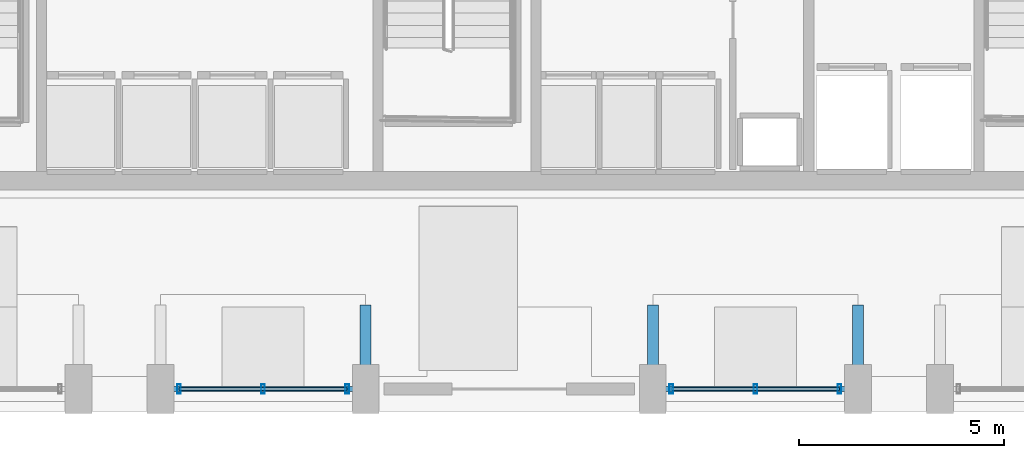
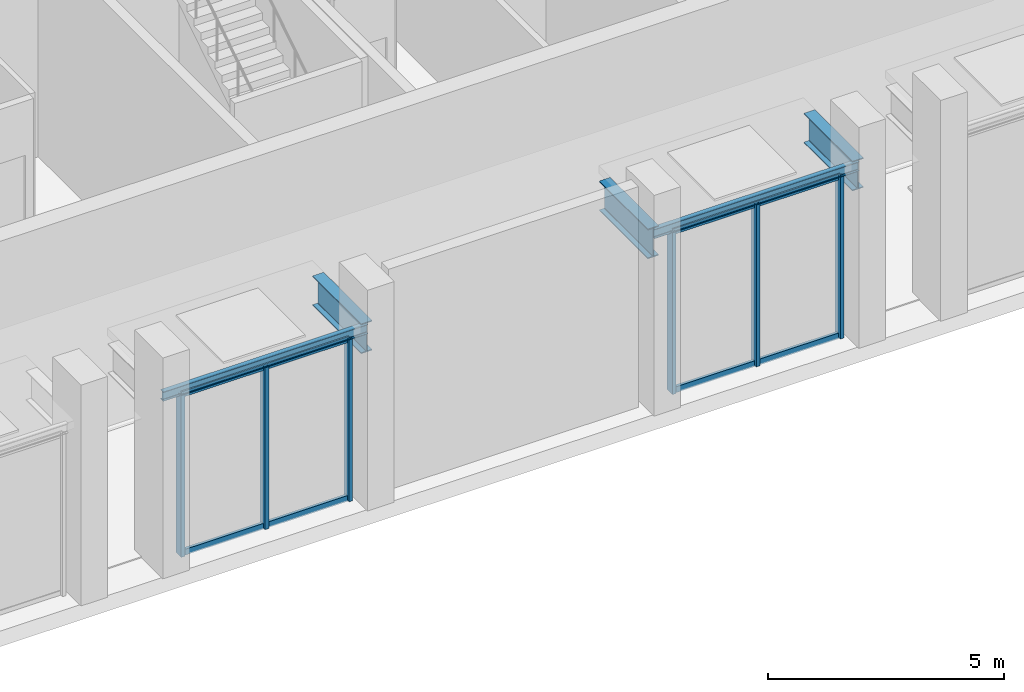
# One storey, part 8 of 36: 10 members, 5 beams, 2 elements without a shape of their own.
"""IFC4 building model written with IfcOpenShell, lengths in metres."""

from ifc_helpers import new_model, si_unit, direction, frame, origin, origin_2d, place, context, subcontext, project, spatial, hollow_rectangle, i_section, extrude, material, layer, layer_set, material_profile, profile_set, type_object, element, aggregate, save


model = new_model("IFC4")

# Units and contexts
model_context = context("Model", 3, precision=1e-05, world=origin(), true_north=direction((0.0, 1.0)))
body_context = subcontext(model_context, "Body", "Model", "MODEL_VIEW")
ifc_project = project(units=[si_unit("LENGTHUNIT", "METRE"), si_unit("AREAUNIT", "SQUARE_METRE"), si_unit("VOLUMEUNIT", "CUBIC_METRE"), si_unit("PLANEANGLEUNIT", "RADIAN"), si_unit("MASSUNIT", "GRAM", prefix="KILO")], contexts=[model_context])

# Site, building, storey
site_placement = place(None, origin())
site = spatial("IfcSite", under=ifc_project, at=site_placement, CompositionType="ELEMENT")
building_placement = place(site_placement, origin())
building = spatial("IfcBuilding", under=site, at=building_placement, Name="Ndaravel Arena Tower", CompositionType="ELEMENT")
storey_placement = place(building_placement, origin())
storey = spatial("IfcBuildingStorey", under=building, at=storey_placement, Name="L00", CompositionType="ELEMENT", Elevation=0.0)

# Beams
ifc_material_1 = material(Name="Steel S355", Category="steel")
ifc_material_profile_1 = material_profile(ifc_material_1, i_section(OverallWidth=0.1201171875, OverallDepth=0.239990234375, WebThickness=0.006103515625, FlangeThickness=0.009765625, FilletRadius=0.014892578125, at=origin_2d()), Name="IPE 240")
ifc_profile_set_1 = profile_set([ifc_material_profile_1], Name="Steel S355")
beam_type_1 = type_object("IfcBeamType", Name="BM-LINTEL-IPE240", PredefinedType="LINTEL", material=ifc_profile_set_1)
for number, where, z_axis, x_axis, name in (
    (1, (33.5, 0.550048828125, 4.260009765625), (1.0, 0.0, 0.0), (0.0, 1.0, 0.0), "Portal Lintel Beam LN-02"),
    (2, (45.5, 0.550048828125, 4.260009765625), (1.0, 0.0, 0.0), (0.0, 1.0, 0.0), "Portal Lintel Beam LN-03"),
):
    element("IfcBeam", number, at=place(storey_placement, frame(where, z_axis=z_axis, x_axis=x_axis)), inside=storey, type_object=beam_type_1, Name=name, PredefinedType="LINTEL", context=body_context, shape_type="SweptSolid", body=[
        extrude(i_section(OverallWidth=0.1201171875, OverallDepth=0.239990234375, WebThickness=0.006103515625, FlangeThickness=0.009765625, FilletRadius=0.014892578125, at=origin_2d()), origin(), (0.0, 0.0, 1.0), 5.0),
    ])
ifc_material_2 = material(Name="Steel S355", Category="steel")
ifc_material_profile_2 = material_profile(ifc_material_2, i_section(OverallWidth=0.26806640625, OverallDepth=0.769775390625, WebThickness=0.015625, FlangeThickness=0.025390625, FilletRadius=0.0166015625, at=origin_2d()), Name="UB 762x267x197")
ifc_profile_set_2 = profile_set([ifc_material_profile_2], Name="Steel S355")
beam_type_2 = type_object("IfcBeamType", Name="BM-POD-UB762", PredefinedType="BEAM", material=ifc_profile_set_2)
for number, where, z_axis, x_axis, name in (
    (3, (38.5, 0.550048828125, 4.01513671875), (0.0, 1.0, 0.0), (-1.0, 0.0, 0.0), "L00 Entrance Canopy Cantilever Arm 02-2"),
    (4, (45.5, 0.550048828125, 4.01513671875), (0.0, 1.0, 0.0), (-1.0, 0.0, 0.0), "L00 Entrance Canopy Cantilever Arm 03-1"),
    (5, (50.5, 0.550048828125, 4.01513671875), (0.0, 1.0, 0.0), (-1.0, 0.0, 0.0), "L00 Entrance Canopy Cantilever Arm 03-2"),
):
    element("IfcBeam", number, at=place(storey_placement, frame(where, z_axis=z_axis, x_axis=x_axis)), inside=storey, type_object=beam_type_2, Name=name, PredefinedType="BEAM", context=body_context, shape_type="SweptSolid", body=[
        extrude(i_section(OverallWidth=0.26806640625, OverallDepth=0.769775390625, WebThickness=0.015625, FlangeThickness=0.025390625, FilletRadius=0.0166015625, at=origin_2d()), origin(), (0.0, 0.0, 1.0), 2.050048828125),
    ])

# Curtain wall, members
ifc_material_3 = material(Name="Aluminium", Category="aluminium")
ifc_layer = layer(ifc_material_3, 0.179931640625)
ifc_layer_set = layer_set([ifc_layer], Name="Aluminium")
curtain_wall_type = type_object("IfcCurtainWallType", Name="CW-SYS-05", PredefinedType="NOTDEFINED", material=ifc_layer_set)
curtain_wall_1_placement = place(storey_placement, origin())
curtain_wall_1 = element("IfcCurtainWall", 6, at=curtain_wall_1_placement, inside=storey, type_object=curtain_wall_type, Name="L00 South Foyer Storefront CW-L00-SF-2", PredefinedType="NOTDEFINED")
ifc_material_4 = material(Name="Aluminium", Category="aluminium")
ifc_material_profile_3 = material_profile(ifc_material_4, hollow_rectangle(XDim=0.090087890625, YDim=0.219970703125, WallThickness=0.0048828125, at=origin_2d()), Name="CW MULLION 90x220x5")
ifc_profile_set_3 = profile_set([ifc_material_profile_3], Name="Aluminium")
member_type_1 = type_object("IfcMemberType", Name="MEM-CW-MUL220", PredefinedType="MULLION", material=ifc_profile_set_3)
member_1_placement = place(storey_placement, frame((33.949951171875, 0.550048828125, 0.0), z_axis=(0.0, 0.0, 1.0), x_axis=(1.0, 0.0, 0.0)))
member_1 = element("IfcMember", 7, at=member_1_placement, type_object=member_type_1, Name="CW-L00-SF-2 Mullion 00", PredefinedType="MULLION", context=body_context, shape_type="SweptSolid", body=[
    extrude(hollow_rectangle(XDim=0.090087890625, YDim=0.219970703125, WallThickness=0.0048828125, at=origin_2d()), origin(), (0.0, 0.0, 1.0), 4.179931640625),
])
member_2_placement = place(storey_placement, frame((36.0, 0.550048828125, 0.0), z_axis=(0.0, 0.0, 1.0), x_axis=(1.0, 0.0, 0.0)))
member_2 = element("IfcMember", 8, at=member_2_placement, type_object=member_type_1, Name="CW-L00-SF-2 Mullion 01", PredefinedType="MULLION", context=body_context, shape_type="SweptSolid", body=[
    extrude(hollow_rectangle(XDim=0.090087890625, YDim=0.219970703125, WallThickness=0.0048828125, at=origin_2d()), origin(), (0.0, 0.0, 1.0), 4.179931640625),
])
member_3_placement = place(storey_placement, frame((38.050048828125, 0.550048828125, 0.0), z_axis=(0.0, 0.0, 1.0), x_axis=(1.0, 0.0, 0.0)))
member_3 = element("IfcMember", 9, at=member_3_placement, type_object=member_type_1, Name="CW-L00-SF-2 Mullion 02", PredefinedType="MULLION", context=body_context, shape_type="SweptSolid", body=[
    extrude(hollow_rectangle(XDim=0.090087890625, YDim=0.219970703125, WallThickness=0.0048828125, at=origin_2d()), origin(), (0.0, 0.0, 1.0), 4.179931640625),
])

curtain_wall_2_placement = place(storey_placement, origin())
curtain_wall_2 = element("IfcCurtainWall", 10, at=curtain_wall_2_placement, inside=storey, type_object=curtain_wall_type, Name="L00 South Foyer Storefront CW-L00-SF-3", PredefinedType="NOTDEFINED")
member_4_placement = place(storey_placement, frame((45.949951171875, 0.550048828125, 0.0), z_axis=(0.0, 0.0, 1.0), x_axis=(1.0, 0.0, 0.0)))
member_4 = element("IfcMember", 11, at=member_4_placement, type_object=member_type_1, Name="CW-L00-SF-3 Mullion 00", PredefinedType="MULLION", context=body_context, shape_type="SweptSolid", body=[
    extrude(hollow_rectangle(XDim=0.090087890625, YDim=0.219970703125, WallThickness=0.0048828125, at=origin_2d()), origin(), (0.0, 0.0, 1.0), 4.179931640625),
])
member_5_placement = place(storey_placement, frame((48.0, 0.550048828125, 0.0), z_axis=(0.0, 0.0, 1.0), x_axis=(1.0, 0.0, 0.0)))
member_5 = element("IfcMember", 12, at=member_5_placement, type_object=member_type_1, Name="CW-L00-SF-3 Mullion 01", PredefinedType="MULLION", context=body_context, shape_type="SweptSolid", body=[
    extrude(hollow_rectangle(XDim=0.090087890625, YDim=0.219970703125, WallThickness=0.0048828125, at=origin_2d()), origin(), (0.0, 0.0, 1.0), 4.179931640625),
])
member_6_placement = place(storey_placement, frame((50.050048828125, 0.550048828125, 0.0), z_axis=(0.0, 0.0, 1.0), x_axis=(1.0, 0.0, 0.0)))
member_6 = element("IfcMember", 13, at=member_6_placement, type_object=member_type_1, Name="CW-L00-SF-3 Mullion 02", PredefinedType="MULLION", context=body_context, shape_type="SweptSolid", body=[
    extrude(hollow_rectangle(XDim=0.090087890625, YDim=0.219970703125, WallThickness=0.0048828125, at=origin_2d()), origin(), (0.0, 0.0, 1.0), 4.179931640625),
])

# Member
ifc_material_5 = material(Name="Aluminium", Category="aluminium")
ifc_material_profile_4 = material_profile(ifc_material_5, hollow_rectangle(XDim=0.074951171875, YDim=0.14990234375, WallThickness=0.00390625, at=origin_2d()), Name="CW TRANSOM 75x150x4")
ifc_profile_set_4 = profile_set([ifc_material_profile_4], Name="Aluminium")
member_type_2 = type_object("IfcMemberType", Name="MEM-CW-TRN150", PredefinedType="USERDEFINED", material=ifc_profile_set_4)
member_7_placement = place(storey_placement, frame((33.949951171875, 0.550048828125, 0.0400390625), z_axis=(1.0, 0.0, 0.0), x_axis=(0.0, 1.0, 0.0)))
member_7 = element("IfcMember", 14, at=member_7_placement, type_object=member_type_2, Name="CW-L00-SF-2 Transom 01", ObjectType="TRANSOM", PredefinedType="USERDEFINED", context=body_context, shape_type="SweptSolid", body=[
    extrude(hollow_rectangle(XDim=0.074951171875, YDim=0.14990234375, WallThickness=0.00390625, at=origin_2d()), origin(), (0.0, 0.0, 1.0), 4.10009765625),
])

member_8_placement = place(storey_placement, frame((33.949951171875, 0.550048828125, 4.139892578125), z_axis=(1.0, 0.0, 0.0), x_axis=(0.0, 1.0, 0.0)))
member_8 = element("IfcMember", 15, at=member_8_placement, type_object=member_type_2, Name="CW-L00-SF-2 Transom 02", ObjectType="TRANSOM", PredefinedType="USERDEFINED", context=body_context, shape_type="SweptSolid", body=[
    extrude(hollow_rectangle(XDim=0.074951171875, YDim=0.14990234375, WallThickness=0.00390625, at=origin_2d()), origin(), (0.0, 0.0, 1.0), 4.10009765625),
])

aggregate(curtain_wall_1, [member_1, member_2, member_3, member_7, member_8])

member_9_placement = place(storey_placement, frame((45.949951171875, 0.550048828125, 0.0400390625), z_axis=(1.0, 0.0, 0.0), x_axis=(0.0, 1.0, 0.0)))
member_9 = element("IfcMember", 16, at=member_9_placement, type_object=member_type_2, Name="CW-L00-SF-3 Transom 01", ObjectType="TRANSOM", PredefinedType="USERDEFINED", context=body_context, shape_type="SweptSolid", body=[
    extrude(hollow_rectangle(XDim=0.074951171875, YDim=0.14990234375, WallThickness=0.00390625, at=origin_2d()), origin(), (0.0, 0.0, 1.0), 4.10009765625),
])

member_10_placement = place(storey_placement, frame((45.949951171875, 0.550048828125, 4.139892578125), z_axis=(1.0, 0.0, 0.0), x_axis=(0.0, 1.0, 0.0)))
member_10 = element("IfcMember", 17, at=member_10_placement, type_object=member_type_2, Name="CW-L00-SF-3 Transom 02", ObjectType="TRANSOM", PredefinedType="USERDEFINED", context=body_context, shape_type="SweptSolid", body=[
    extrude(hollow_rectangle(XDim=0.074951171875, YDim=0.14990234375, WallThickness=0.00390625, at=origin_2d()), origin(), (0.0, 0.0, 1.0), 4.10009765625),
])

aggregate(curtain_wall_2, [member_4, member_5, member_6, member_9, member_10])

save(model, "model.ifc")
